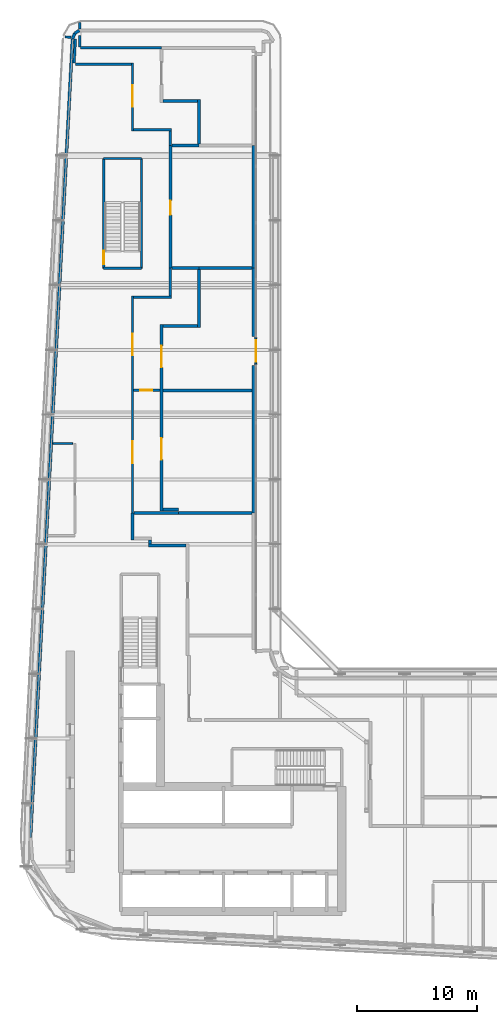
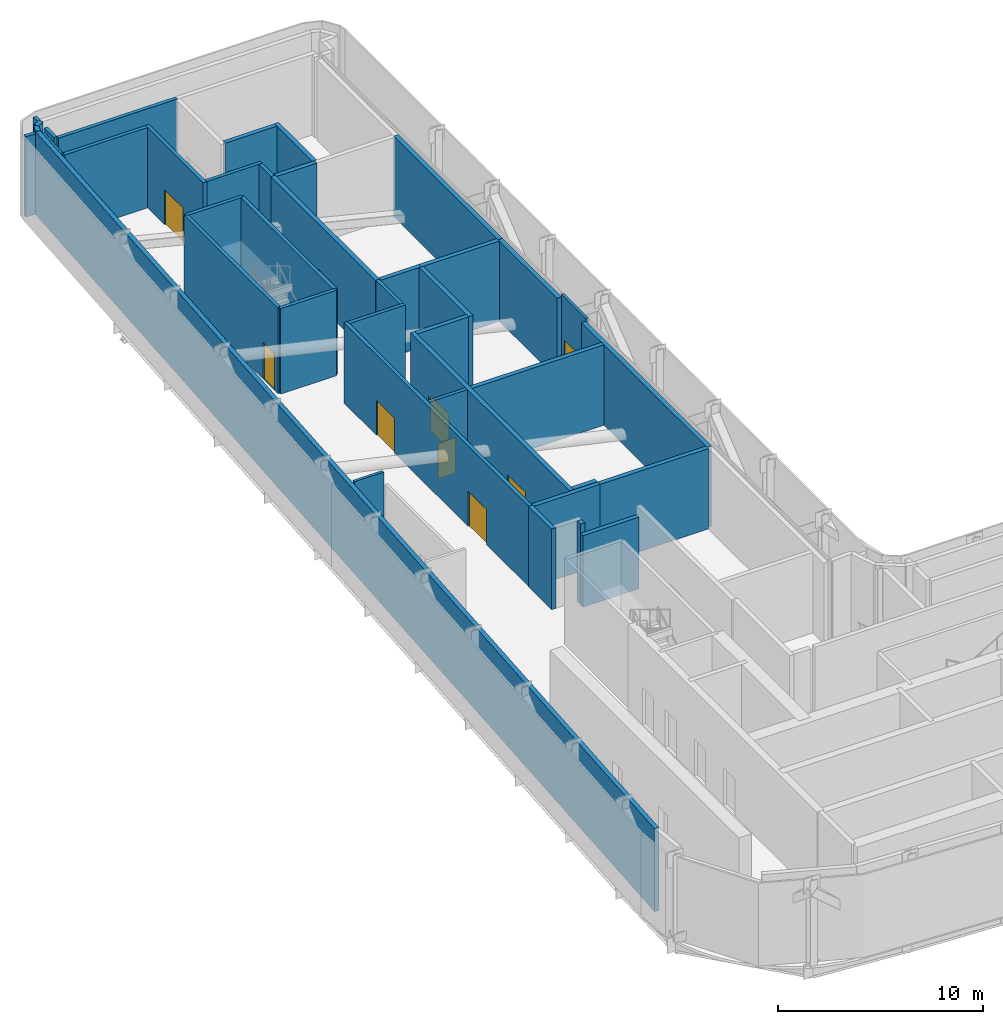
# One storey, part 15 of 23: 41 walls, 9 doors, 9 openings.
"""IFC4 building model written with IfcOpenShell, lengths in metres."""

from ifc_helpers import new_model, si_unit, direction, frame, frame_2d, origin, place, context, subcontext, project, spatial, rectangle, extrude, source, transform, mapped, material, layer, layer_set, type_object, element, fill, save


model = new_model("IFC4")

# Units and contexts
model_context = context("Model", 3, precision=1e-05, world=origin(), true_north=direction((0.0, 1.0)))
body_context = subcontext(model_context, "Body", "Model", "MODEL_VIEW")
ifc_project = project(units=[si_unit("LENGTHUNIT", "METRE"), si_unit("AREAUNIT", "SQUARE_METRE"), si_unit("VOLUMEUNIT", "CUBIC_METRE"), si_unit("PLANEANGLEUNIT", "RADIAN"), si_unit("MASSUNIT", "GRAM", prefix="KILO")], contexts=[model_context])

# Site, building, storey
site_placement = place(None, origin())
site = spatial("IfcSite", under=ifc_project, at=site_placement, CompositionType="ELEMENT")
building_placement = place(site_placement, origin())
building = spatial("IfcBuilding", under=site, at=building_placement, Name="Kheshtan School and Residences Tower", CompositionType="ELEMENT")
storey_placement = place(building_placement, frame((0.0, 0.0, 211.10009765625)))
storey = spatial("IfcBuildingStorey", under=building, at=storey_placement, Name="L49", CompositionType="ELEMENT", Elevation=211.10009765625)

# Walls
ifc_material_1 = material(Name="Gypsum board on steel studs with fire boards", Category="steel")
ifc_layer_1 = layer(ifc_material_1, 0.199951171875)
ifc_layer_set_1 = layer_set([ifc_layer_1], Name="Corridor wall 200")
wall_type_1 = type_object("IfcWallType", Name="Corridor wall 200", PredefinedType="PARTITIONING", material=ifc_layer_set_1)
wall_1_placement = place(storey_placement, frame((30.05908203125, 98.69091796875, 0.0), z_axis=(0.0, 0.0, 1.0), x_axis=(0.998617829333, -0.052558833123, 0.0)))
element("IfcWall", 1, at=wall_1_placement, inside=storey, type_object=wall_type_1, Name="Partition L49-001", PredefinedType="PARTITIONING", context=body_context, shape_type="SweptSolid", body=[
    extrude(rectangle(XDim=0.529541015625, YDim=0.199951171875, at=frame_2d((0.2646484375, 0.0))), origin(), (0.0, 0.0, 1.0), 4.7998046875),
])
wall_2_placement = place(storey_placement, frame((30.8359375, 96.5, 0.0), z_axis=(0.0, 0.0, 1.0), x_axis=(0.052830433288, 0.99860349755, 0.0)))
element("IfcWall", 2, at=wall_2_placement, inside=storey, type_object=wall_type_1, Name="Partition L49-002", PredefinedType="PARTITIONING", context=body_context, shape_type="SweptSolid", body=[
    extrude(rectangle(XDim=2.02880859375, YDim=0.199951171875, at=frame_2d((1.014404296875, 0.0))), origin(), (0.0, 0.0, 1.0), 4.7998046875),
])
wall_3_placement = place(storey_placement, frame((30.931884765625, 96.39990234375, 0.0), z_axis=(0.0, 0.0, 1.0), x_axis=(1.0, 0.0, 0.0)))
element("IfcWall", 3, at=wall_3_placement, inside=storey, type_object=wall_type_1, Name="Partition L49-003", PredefinedType="PARTITIONING", context=body_context, shape_type="SweptSolid", body=[
    extrude(rectangle(XDim=4.668212890625, YDim=0.199951171875, at=frame_2d((2.333984375, 0.0))), origin(), (0.0, 0.0, 1.0), 4.7998046875),
])
wall_4_placement = place(storey_placement, frame((31.302978515625, 97.85107421875, 0.0), z_axis=(0.0, 0.0, 1.0), x_axis=(0.0, 1.0, 0.0)))
element("IfcWall", 4, at=wall_4_placement, inside=storey, type_object=wall_type_1, Name="Partition L49-004", PredefinedType="PARTITIONING", context=body_context, shape_type="SweptSolid", body=[
    extrude(rectangle(XDim=0.948974609375, YDim=0.199951171875, at=frame_2d((0.474609375, 0.0))), origin(), (0.0, 0.0, 1.0), 4.7998046875),
])
wall_5_placement = place(storey_placement, frame((31.302978515625, 99.34912109375, 0.0), z_axis=(0.0, 0.0, 1.0), x_axis=(0.0, 1.0, 0.0)))
element("IfcWall", 5, at=wall_5_placement, inside=storey, type_object=wall_type_1, Name="Partition L49-005", PredefinedType="PARTITIONING", context=body_context, shape_type="SweptSolid", body=[
    extrude(rectangle(XDim=0.52197265625, YDim=0.199951171875, at=frame_2d((0.260986328125, 0.0))), origin(), (0.0, 0.0, 1.0), 4.7998046875),
])
wall_6_placement = place(storey_placement, frame((31.3740234375, 97.780029296875, 0.0), z_axis=(0.0, 0.0, 1.0), x_axis=(1.0, 0.0, 0.0)))
element("IfcWall", 6, at=wall_6_placement, inside=storey, type_object=wall_type_1, Name="Partition L49-006", PredefinedType="PARTITIONING", context=body_context, shape_type="SweptSolid", body=[
    extrude(rectangle(XDim=6.72607421875, YDim=0.199951171875, at=frame_2d((3.363037109375, 0.0))), origin(), (0.0, 0.0, 1.0), 4.7998046875),
])

# Wall, openings, doors
wall_7_placement = place(storey_placement, frame((35.699951171875, 59.02392578125, 0.0), z_axis=(0.0, 0.0, 1.0), x_axis=(0.0, 1.0, 0.0)))
wall_7 = element("IfcWall", 7, at=wall_7_placement, inside=storey, type_object=wall_type_1, Name="Partition L49-008", PredefinedType="PARTITIONING", context=body_context, shape_type="SweptSolid", body=[
    extrude(rectangle(XDim=18.076171875, YDim=0.199951171875, at=frame_2d((9.0380859375, 0.0))), origin(), (0.0, 0.0, 1.0), 4.7998046875),
])
opening_1_placement = place(wall_7_placement, frame((4.14990234375, 0.0, 0.0)))
opening_1 = element("IfcOpeningElement", 8, at=opening_1_placement, cuts=wall_7, Name="Opening D49-013", PredefinedType="OPENING", context=body_context, shape_type="SweptSolid", body=[
    extrude(rectangle(XDim=1.800048828125, YDim=2.10009765625, at=frame_2d((0.89990234375, 1.050048828125))), frame((0.0, 0.10986328125, 0.0), z_axis=(0.0, -1.0, 0.0), x_axis=(1.0, 0.0, 0.0)), (0.0, 0.0, 1.0), 0.219970703125),
])
opening_2_placement = place(wall_7_placement, frame((13.112060546875, 0.0, 0.0)))
opening_2 = element("IfcOpeningElement", 9, at=opening_2_placement, cuts=wall_7, Name="Opening D49-015", PredefinedType="OPENING", context=body_context, shape_type="SweptSolid", body=[
    extrude(rectangle(XDim=1.800048828125, YDim=2.10009765625, at=frame_2d((0.89990234375, 1.050048828125))), frame((0.0, 0.10986328125, 0.0), z_axis=(0.0, -1.0, 0.0), x_axis=(1.0, 0.0, 0.0)), (0.0, 0.0, 1.0), 0.219970703125),
])
ifc_material_2 = material(Name="Steel-framed fire-resisting door leaf", Category="steel")
door_type_1 = type_object("IfcDoorType", Name="Fire double door FD60 1800 x 2100", OperationType="DOUBLE_DOOR_SINGLE_SWING", PredefinedType="DOOR", material=ifc_material_2)
shared_shape_1 = source(origin(), body_context, "Body", "SweptSolid", [
    extrude(rectangle(XDim=1.800048828125, YDim=2.10009765625, at=frame_2d((0.89990234375, 1.050048828125))), frame((0.0, 0.02490234375, 0.0), z_axis=(0.0, -1.0, 0.0), x_axis=(1.0, 0.0, 0.0)), (0.0, 0.0, 1.0), 0.050048828125),
])
door_1_placement = place(opening_1_placement, origin())
door_1 = element("IfcDoor", 10, at=door_1_placement, inside=storey, type_object=door_type_1, Name="Door D49-013", OperationType="DOUBLE_DOOR_SINGLE_SWING", OverallHeight=2.10009765625, OverallWidth=1.800048828125, PredefinedType="DOOR", context=body_context, shape_type="MappedRepresentation", body=[
    mapped(shared_shape_1, transform((0.0, 0.0, 0.0), x_axis=(1.0, 0.0, 0.0), y_axis=(0.0, 1.0, 0.0), z_axis=(0.0, 0.0, 1.0), scale=1.0)),
])
fill(opening_1, door_1)
door_2_placement = place(opening_2_placement, origin())
door_2 = element("IfcDoor", 11, at=door_2_placement, inside=storey, type_object=door_type_1, Name="Door D49-015", OperationType="DOUBLE_DOOR_SINGLE_SWING", OverallHeight=2.10009765625, OverallWidth=1.800048828125, PredefinedType="DOOR", context=body_context, shape_type="MappedRepresentation", body=[
    mapped(shared_shape_1, transform((0.0, 0.0, 0.0), x_axis=(1.0, 0.0, 0.0), y_axis=(0.0, 1.0, 0.0), z_axis=(0.0, 0.0, 1.0), scale=1.0)),
])
fill(opening_2, door_2)

# Wall, opening, door
wall_8_placement = place(storey_placement, frame((35.699951171875, 90.860107421875, 0.0), z_axis=(0.0, 0.0, 1.0), x_axis=(0.0, 1.0, 0.0)))
wall_8 = element("IfcWall", 12, at=wall_8_placement, inside=storey, type_object=wall_type_1, Name="Partition L49-009", PredefinedType="PARTITIONING", context=body_context, shape_type="SweptSolid", body=[
    extrude(rectangle(XDim=5.639892578125, YDim=0.199951171875, at=frame_2d((2.81982421875, 0.0))), origin(), (0.0, 0.0, 1.0), 4.7998046875),
])
opening_3_placement = place(wall_8_placement, frame((2.0, 0.0, 0.0)))
opening_3 = element("IfcOpeningElement", 13, at=opening_3_placement, cuts=wall_8, Name="Opening D49-016", PredefinedType="OPENING", context=body_context, shape_type="SweptSolid", body=[
    extrude(rectangle(XDim=1.800048828125, YDim=2.10009765625, at=frame_2d((0.89990234375, 1.050048828125))), frame((0.0, 0.10986328125, 0.0), z_axis=(0.0, -1.0, 0.0), x_axis=(1.0, 0.0, 0.0)), (0.0, 0.0, 1.0), 0.219970703125),
])
door_3_placement = place(opening_3_placement, origin())
door_3 = element("IfcDoor", 14, at=door_3_placement, inside=storey, type_object=door_type_1, Name="Door D49-016", OperationType="DOUBLE_DOOR_SINGLE_SWING", OverallHeight=2.10009765625, OverallWidth=1.800048828125, PredefinedType="DOOR", context=body_context, shape_type="MappedRepresentation", body=[
    mapped(shared_shape_1, transform((0.0, 0.0, 0.0), x_axis=(1.0, 0.0, 0.0), y_axis=(0.0, 1.0, 0.0), z_axis=(0.0, 0.0, 1.0), scale=1.0)),
])
fill(opening_3, door_3)

wall_9_placement = place(storey_placement, frame((35.800048828125, 69.236083984375, 0.0), z_axis=(0.0, 0.0, 1.0), x_axis=(1.0, 0.0, 0.0)))
wall_9 = element("IfcWall", 15, at=wall_9_placement, inside=storey, type_object=wall_type_1, Name="Partition L49-010", PredefinedType="PARTITIONING", context=body_context, shape_type="SweptSolid", body=[
    extrude(rectangle(XDim=2.175048828125, YDim=0.199951171875, at=frame_2d((1.08740234375, 0.0))), origin(), (0.0, 0.0, 1.0), 4.7998046875),
])
opening_4_placement = place(wall_9_placement, frame((0.550048828125, 0.0, 0.0)))
opening_4 = element("IfcOpeningElement", 16, at=opening_4_placement, cuts=wall_9, Name="Opening D49-014", PredefinedType="OPENING", context=body_context, shape_type="SweptSolid", body=[
    extrude(rectangle(XDim=1.0, YDim=2.10009765625, at=frame_2d((0.5, 1.050048828125))), frame((0.0, 0.10986328125, 0.0), z_axis=(0.0, -1.0, 0.0), x_axis=(1.0, 0.0, 0.0)), (0.0, 0.0, 1.0), 0.219970703125),
])
door_type_2 = type_object("IfcDoorType", Name="Fire door FD60 1000 x 2100", OperationType="SINGLE_SWING_LEFT", PredefinedType="DOOR", material=ifc_material_2)
shared_shape_2 = source(origin(), body_context, "Body", "SweptSolid", [
    extrude(rectangle(XDim=1.0, YDim=2.10009765625, at=frame_2d((0.5, 1.050048828125))), frame((0.0, 0.02490234375, 0.0), z_axis=(0.0, -1.0, 0.0), x_axis=(1.0, 0.0, 0.0)), (0.0, 0.0, 1.0), 0.050048828125),
])
door_4_placement = place(opening_4_placement, origin())
door_4 = element("IfcDoor", 17, at=door_4_placement, inside=storey, type_object=door_type_2, Name="Door D49-014", OperationType="SINGLE_SWING_RIGHT", OverallHeight=2.10009765625, OverallWidth=1.0, PredefinedType="DOOR", context=body_context, shape_type="MappedRepresentation", body=[
    mapped(shared_shape_2, transform((0.0, 0.0, 0.0), x_axis=(1.0, 0.0, 0.0), y_axis=(0.0, 1.0, 0.0), z_axis=(0.0, 0.0, 1.0), scale=1.0)),
])
fill(opening_4, door_4)

# Walls
for number, where, z_axis, x_axis, name in (
    (18, (35.800048828125, 77.0, 0.0), (0.0, 0.0, 1.0), (1.0, 0.0, 0.0), "Partition L49-011"),
    (19, (35.800048828125, 90.9599609375, 0.0), (0.0, 0.0, 1.0), (1.0, 0.0, 0.0), "Partition L49-012"),
):
    element("IfcWall", number, at=place(storey_placement, frame(where, z_axis=z_axis, x_axis=x_axis)), inside=storey, type_object=wall_type_1, Name=name, PredefinedType="PARTITIONING", context=body_context, shape_type="SweptSolid", body=[
        extrude(rectangle(XDim=3.14990234375, YDim=0.199951171875, at=frame_2d((1.574951171875, 0.0))), origin(), (0.0, 0.0, 1.0), 4.7998046875),
    ])
wall_10_placement = place(storey_placement, frame((38.85009765625, 77.10009765625, 0.0), z_axis=(0.0, 0.0, 1.0), x_axis=(0.0, 1.0, 0.0)))
element("IfcWall", 20, at=wall_10_placement, inside=storey, type_object=wall_type_1, Name="Partition L49-024", PredefinedType="PARTITIONING", context=body_context, shape_type="SweptSolid", body=[
    extrude(rectangle(XDim=2.346923828125, YDim=0.199951171875, at=frame_2d((1.17333984375, 0.0))), origin(), (0.0, 0.0, 1.0), 4.7998046875),
])
wall_11_placement = place(storey_placement, frame((38.85009765625, 89.658935546875, 0.0), z_axis=(0.0, 0.0, 1.0), x_axis=(0.0, 1.0, 0.0)))
element("IfcWall", 21, at=wall_11_placement, inside=storey, type_object=wall_type_1, Name="Partition L49-026", PredefinedType="PARTITIONING", context=body_context, shape_type="SweptSolid", body=[
    extrude(rectangle(XDim=1.201171875, YDim=0.199951171875, at=frame_2d((0.6005859375, 0.0))), origin(), (0.0, 0.0, 1.0), 4.7998046875),
])
ifc_material_3 = material(Name="Concrete C40/50 with ceramic cladding and mineral wool insulation", Category="concrete")
ifc_layer_2 = layer(ifc_material_3, 0.25)
ifc_layer_set_2 = layer_set([ifc_layer_2], Name="External wall 250 ceramic clad")
wall_type_2 = type_object("IfcWallType", Name="External wall 250 ceramic clad", PredefinedType="SOLIDWALL", material=ifc_layer_set_2)
wall_12_placement = place(storey_placement, frame((27.195068359375, 31.968994140625, 0.0), z_axis=(0.0, 0.0, 1.0), x_axis=(0.052556141556, 0.99861797099, 0.0)))
element("IfcWall", 22, at=wall_12_placement, inside=storey, type_object=wall_type_2, Name="External wall L49 10", PredefinedType="SOLIDWALL", context=body_context, shape_type="SweptSolid", body=[
    extrude(rectangle(XDim=66.651123046875, YDim=0.25, at=frame_2d((33.32568359375, 0.0))), origin(), (0.0, 0.0, 1.0), 4.949951171875),
])
wall_13_placement = place(storey_placement, frame((30.697998046875, 98.528076171875, 0.0), z_axis=(0.0, 0.0, 1.0), x_axis=(0.370881773365, 0.928680090336, 0.0)))
element("IfcWall", 23, at=wall_13_placement, inside=storey, type_object=wall_type_2, Name="External wall L49 11", PredefinedType="SOLIDWALL", context=body_context, shape_type="SweptSolid", body=[
    extrude(rectangle(XDim=0.496337890625, YDim=0.25, at=frame_2d((0.248046875, 0.0))), origin(), (0.0, 0.0, 1.0), 4.949951171875),
])
wall_14_placement = place(storey_placement, frame((30.882080078125, 98.989013671875, 0.0), z_axis=(0.0, 0.0, 1.0), x_axis=(0.851899959866, 0.523704552568, 0.0)))
element("IfcWall", 24, at=wall_14_placement, inside=storey, type_object=wall_type_2, Name="External wall L49 12", PredefinedType="SOLIDWALL", context=body_context, shape_type="SweptSolid", body=[
    extrude(rectangle(XDim=0.45068359375, YDim=0.25, at=frame_2d((0.225341796875, 0.0))), origin(), (0.0, 0.0, 1.0), 4.949951171875),
])

# Wall, opening, door
ifc_material_4 = material(Name="Aluminium frame wall with insulated infill", Category="aluminium")
ifc_layer_3 = layer(ifc_material_4, 0.14990234375)
ifc_layer_set_3 = layer_set([ifc_layer_3], Name="Glazing frame wall 150")
wall_type_3 = type_object("IfcWallType", Name="Glazing frame wall 150", PredefinedType="SOLIDWALL", material=ifc_layer_set_3)
wall_15_placement = place(storey_placement, frame((45.97509765625, 73.699951171875, 0.0), z_axis=(0.0, 0.0, 1.0), x_axis=(0.0, -1.0, 0.0)))
wall_15 = element("IfcWall", 25, at=wall_15_placement, inside=storey, type_object=wall_type_3, Name="Terrace door wall L49 19", PredefinedType="SOLIDWALL", context=body_context, shape_type="SweptSolid", body=[
    extrude(rectangle(XDim=2.39990234375, YDim=0.14990234375, at=frame_2d((1.199951171875, 0.0))), origin(), (0.0, 0.0, 1.0), 4.949951171875),
])
opening_5_placement = place(wall_15_placement, frame((0.300048828125, 0.0, 0.0)))
opening_5 = element("IfcOpeningElement", 26, at=opening_5_placement, cuts=wall_15, Name="Opening BD", PredefinedType="OPENING", context=body_context, shape_type="SweptSolid", body=[
    extrude(rectangle(XDim=1.800048828125, YDim=2.39990234375, at=frame_2d((0.89990234375, 1.199951171875))), frame((0.0, 0.0849609375, 0.0), z_axis=(0.0, -1.0, 0.0), x_axis=(1.0, 0.0, 0.0)), (0.0, 0.0, 1.0), 0.169921875),
])
ifc_material_5 = material(Name="Clear low-e glass in thermally broken aluminium frame", Category="aluminium")
door_type_3 = type_object("IfcDoorType", Name="Balcony sliding door", OperationType="SLIDING_TO_LEFT", PredefinedType="DOOR", material=ifc_material_5)
shared_shape_3 = source(origin(), body_context, "Body", "SweptSolid", [
    extrude(rectangle(XDim=1.800048828125, YDim=2.39990234375, at=frame_2d((0.89990234375, 1.199951171875))), frame((0.0, 0.02490234375, 0.0), z_axis=(0.0, -1.0, 0.0), x_axis=(1.0, 0.0, 0.0)), (0.0, 0.0, 1.0), 0.050048828125),
])
door_5_placement = place(opening_5_placement, origin())
door_5 = element("IfcDoor", 27, at=door_5_placement, inside=storey, type_object=door_type_3, Name="Terrace door L49 19", OperationType="SLIDING_TO_LEFT", OverallHeight=2.39990234375, OverallWidth=1.800048828125, PredefinedType="DOOR", context=body_context, shape_type="MappedRepresentation", body=[
    mapped(shared_shape_3, transform((0.0, 0.0, 0.0), x_axis=(1.0, 0.0, 0.0), y_axis=(0.0, 1.0, 0.0), z_axis=(0.0, 0.0, 1.0), scale=1.0)),
])
fill(opening_5, door_5)

# Walls
ifc_material_6 = material(Name="Fire-board and steel stud wall with mineral wool", Category="steel")
ifc_layer_4 = layer(ifc_material_6, 0.25)
ifc_layer_set_4 = layer_set([ifc_layer_4], Name="Plant room wall 250")
wall_type_4 = type_object("IfcWallType", Name="Plant room wall 250", PredefinedType="PARTITIONING", material=ifc_layer_set_4)
wall_16_placement = place(storey_placement, frame((35.699951171875, 56.77490234375, 0.0), z_axis=(0.0, 0.0, 1.0), x_axis=(0.0, 1.0, 0.0)))
element("IfcWall", 28, at=wall_16_placement, inside=storey, type_object=wall_type_4, Name="Partition L49-007", PredefinedType="PARTITIONING", context=body_context, shape_type="SweptSolid", body=[
    extrude(rectangle(XDim=2.2490234375, YDim=0.25, at=frame_2d((1.12451171875, 0.0))), origin(), (0.0, 0.0, 1.0), 4.7998046875),
])
wall_17_placement = place(storey_placement, frame((35.824951171875, 59.02392578125, 0.0), z_axis=(0.0, 0.0, 1.0), x_axis=(1.0, 0.0, 0.0)))
element("IfcWall", 29, at=wall_17_placement, inside=storey, type_object=wall_type_4, Name="Partition L49-014", PredefinedType="PARTITIONING", context=body_context, shape_type="SweptSolid", body=[
    extrude(rectangle(XDim=3.72509765625, YDim=0.25, at=frame_2d((1.862548828125, 0.0))), origin(), (0.0, 0.0, 1.0), 4.7998046875),
])
wall_18_placement = place(storey_placement, frame((37.02490234375, 56.31005859375, 0.0), z_axis=(0.0, 0.0, 1.0), x_axis=(1.0, 0.0, 0.0)))
element("IfcWall", 30, at=wall_18_placement, inside=storey, type_object=wall_type_4, Name="Partition L49-015", PredefinedType="PARTITIONING", context=body_context, shape_type="SweptSolid", body=[
    extrude(rectangle(XDim=3.150146484375, YDim=0.25, at=frame_2d((1.5751953125, 0.0))), origin(), (0.0, 0.0, 1.0), 4.27197265625),
])
wall_19_placement = place(storey_placement, frame((37.14990234375, 56.43505859375, 0.0), z_axis=(0.0, 0.0, 1.0), x_axis=(0.0, 1.0, 0.0)))
element("IfcWall", 31, at=wall_19_placement, inside=storey, type_object=wall_type_4, Name="Partition L49-016", PredefinedType="PARTITIONING", context=body_context, shape_type="SweptSolid", body=[
    extrude(rectangle(XDim=0.33984375, YDim=0.25, at=frame_2d((0.169921875, 0.0))), origin(), (0.0, 0.0, 1.0), 4.7998046875),
])

# Wall, opening, door
wall_20_placement = place(storey_placement, frame((38.85009765625, 79.447021484375, 0.0), z_axis=(0.0, 0.0, 1.0), x_axis=(0.0, 1.0, 0.0)))
wall_20 = element("IfcWall", 32, at=wall_20_placement, inside=storey, type_object=wall_type_4, Name="Partition L49-025", PredefinedType="PARTITIONING", context=body_context, shape_type="SweptSolid", body=[
    extrude(rectangle(XDim=10.2119140625, YDim=0.25, at=frame_2d((5.10595703125, 0.0))), origin(), (0.0, 0.0, 1.0), 4.7998046875),
])
opening_6_placement = place(wall_20_placement, frame((4.39990234375, 0.0, 0.0)))
opening_6 = element("IfcOpeningElement", 33, at=opening_6_placement, cuts=wall_20, Name="Opening D49-009", PredefinedType="OPENING", context=body_context, shape_type="SweptSolid", body=[
    extrude(rectangle(XDim=1.199951171875, YDim=2.10009765625, at=frame_2d((0.60009765625, 1.050048828125))), frame((0.0, 0.135009765625, 0.0), z_axis=(0.0, -1.0, 0.0), x_axis=(1.0, 0.0, 0.0)), (0.0, 0.0, 1.0), 0.27001953125),
])
door_type_4 = type_object("IfcDoorType", Name="Fire door FD120 1200 x 2100", OperationType="SINGLE_SWING_LEFT", PredefinedType="DOOR", material=ifc_material_2)
shared_shape_4 = source(origin(), body_context, "Body", "SweptSolid", [
    extrude(rectangle(XDim=1.199951171875, YDim=2.10009765625, at=frame_2d((0.60009765625, 1.050048828125))), frame((0.0, 0.02490234375, 0.0), z_axis=(0.0, -1.0, 0.0), x_axis=(1.0, 0.0, 0.0)), (0.0, 0.0, 1.0), 0.050048828125),
])
door_6_placement = place(opening_6_placement, origin())
door_6 = element("IfcDoor", 34, at=door_6_placement, inside=storey, type_object=door_type_4, Name="Door D49-009", OperationType="SINGLE_SWING_LEFT", OverallHeight=2.10009765625, OverallWidth=1.199951171875, PredefinedType="DOOR", context=body_context, shape_type="MappedRepresentation", body=[
    mapped(shared_shape_4, transform((0.0, 0.0, 0.0), x_axis=(1.0, 0.0, 0.0), y_axis=(0.0, 1.0, 0.0), z_axis=(0.0, 0.0, 1.0), scale=1.0)),
])
fill(opening_6, door_6)

# Walls
for number, where, z_axis, x_axis, name in (
    (35, (38.97509765625, 79.447021484375, 0.0), (0.0, 0.0, 1.0), (1.0, 0.0, 0.0), "Partition L49-027"),
    (36, (38.97509765625, 89.658935546875, 0.0), (0.0, 0.0, 1.0), (1.0, 0.0, 0.0), "Partition L49-028"),
):
    element("IfcWall", number, at=place(storey_placement, frame(where, z_axis=z_axis, x_axis=x_axis)), inside=storey, type_object=wall_type_4, Name=name, PredefinedType="PARTITIONING", context=body_context, shape_type="SweptSolid", body=[
        extrude(rectangle(XDim=2.27490234375, YDim=0.25, at=frame_2d((1.137451171875, 0.0))), origin(), (0.0, 0.0, 1.0), 4.7998046875),
    ])
wall_21_placement = place(storey_placement, frame((45.780029296875, 79.447021484375, 0.0), z_axis=(0.0, 0.0, 1.0), x_axis=(0.0, 1.0, 0.0)))
element("IfcWall", 37, at=wall_21_placement, inside=storey, type_object=wall_type_4, Name="Partition L49-042", PredefinedType="PARTITIONING", context=body_context, shape_type="SweptSolid", body=[
    extrude(rectangle(XDim=10.2119140625, YDim=0.25, at=frame_2d((5.10595703125, 0.0))), origin(), (0.0, 0.0, 1.0), 4.7998046875),
])

# Wall, openings, doors
ifc_layer_5 = layer(ifc_material_6, 0.25)
ifc_layer_set_5 = layer_set([ifc_layer_5], Name="Refuge compartment wall 250")
wall_type_5 = type_object("IfcWallType", Name="Refuge compartment wall 250", PredefinedType="PARTITIONING", material=ifc_layer_set_5)
wall_22_placement = place(storey_placement, frame((38.10009765625, 59.175048828125, 0.0), z_axis=(0.0, 0.0, 1.0), x_axis=(0.0, 1.0, 0.0)))
wall_22 = element("IfcWall", 38, at=wall_22_placement, inside=storey, type_object=wall_type_5, Name="Partition L49-017", PredefinedType="PARTITIONING", context=body_context, shape_type="SweptSolid", body=[
    extrude(rectangle(XDim=15.550048828125, YDim=0.25, at=frame_2d((7.77490234375, 0.0))), origin(), (0.0, 0.0, 1.0), 4.7998046875),
])
opening_7_placement = place(wall_22_placement, frame((4.27490234375, 0.0, 0.0)))
opening_7 = element("IfcOpeningElement", 39, at=opening_7_placement, cuts=wall_22, Name="Opening D49-006", PredefinedType="OPENING", context=body_context, shape_type="SweptSolid", body=[
    extrude(rectangle(XDim=1.800048828125, YDim=2.10009765625, at=frame_2d((0.89990234375, 1.050048828125))), frame((0.0, 0.135009765625, 0.0), z_axis=(0.0, -1.0, 0.0), x_axis=(1.0, 0.0, 0.0)), (0.0, 0.0, 1.0), 0.27001953125),
])
opening_8_placement = place(wall_22_placement, frame((11.9609375, 0.0, 0.0)))
opening_8 = element("IfcOpeningElement", 40, at=opening_8_placement, cuts=wall_22, Name="Opening D49-007", PredefinedType="OPENING", context=body_context, shape_type="SweptSolid", body=[
    extrude(rectangle(XDim=1.800048828125, YDim=2.10009765625, at=frame_2d((0.89990234375, 1.050048828125))), frame((0.0, 0.135009765625, 0.0), z_axis=(0.0, -1.0, 0.0), x_axis=(1.0, 0.0, 0.0)), (0.0, 0.0, 1.0), 0.27001953125),
])
door_type_5 = type_object("IfcDoorType", Name="Fire double door FD120 1800 x 2100", OperationType="DOUBLE_DOOR_SINGLE_SWING", PredefinedType="DOOR", material=ifc_material_2)
shared_shape_5 = source(origin(), body_context, "Body", "SweptSolid", [
    extrude(rectangle(XDim=1.800048828125, YDim=2.10009765625, at=frame_2d((0.89990234375, 1.050048828125))), frame((0.0, 0.02490234375, 0.0), z_axis=(0.0, -1.0, 0.0), x_axis=(1.0, 0.0, 0.0)), (0.0, 0.0, 1.0), 0.050048828125),
])
door_7_placement = place(opening_7_placement, origin())
door_7 = element("IfcDoor", 41, at=door_7_placement, inside=storey, type_object=door_type_5, Name="Door D49-006", OperationType="DOUBLE_DOOR_SINGLE_SWING", OverallHeight=2.10009765625, OverallWidth=1.800048828125, PredefinedType="DOOR", context=body_context, shape_type="MappedRepresentation", body=[
    mapped(shared_shape_5, transform((0.0, 0.0, 0.0), x_axis=(1.0, 0.0, 0.0), y_axis=(0.0, 1.0, 0.0), z_axis=(0.0, 0.0, 1.0), scale=1.0)),
])
fill(opening_7, door_7)
door_8_placement = place(opening_8_placement, origin())
door_8 = element("IfcDoor", 42, at=door_8_placement, inside=storey, type_object=door_type_5, Name="Door D49-007", OperationType="DOUBLE_DOOR_SINGLE_SWING", OverallHeight=2.10009765625, OverallWidth=1.800048828125, PredefinedType="DOOR", context=body_context, shape_type="MappedRepresentation", body=[
    mapped(shared_shape_5, transform((0.0, 0.0, 0.0), x_axis=(1.0, 0.0, 0.0), y_axis=(0.0, 1.0, 0.0), z_axis=(0.0, 0.0, 1.0), scale=1.0)),
])
fill(opening_8, door_8)

# Walls
wall_23_placement = place(storey_placement, frame((38.22509765625, 59.300048828125, 0.0), z_axis=(0.0, 0.0, 1.0), x_axis=(1.0, 0.0, 0.0)))
element("IfcWall", 43, at=wall_23_placement, inside=storey, type_object=wall_type_5, Name="Partition L49-020", PredefinedType="PARTITIONING", context=body_context, shape_type="SweptSolid", body=[
    extrude(rectangle(XDim=1.324951171875, YDim=0.25, at=frame_2d((0.66259765625, 0.0))), origin(), (0.0, 0.0, 1.0), 4.7998046875),
])
wall_24_placement = place(storey_placement, frame((38.22509765625, 69.236083984375, 0.0), z_axis=(0.0, 0.0, 1.0), x_axis=(1.0, 0.0, 0.0)))
element("IfcWall", 44, at=wall_24_placement, inside=storey, type_object=wall_type_5, Name="Partition L49-021", PredefinedType="PARTITIONING", context=body_context, shape_type="SweptSolid", body=[
    extrude(rectangle(XDim=7.429931640625, YDim=0.25, at=frame_2d((3.71484375, 0.0))), origin(), (0.0, 0.0, 1.0), 4.7998046875),
])
for number, where, z_axis, x_axis, name in (
    (45, (38.22509765625, 74.60009765625, 0.0), (0.0, 0.0, 1.0), (1.0, 0.0, 0.0), "Partition L49-022"),
    (46, (38.22509765625, 93.360107421875, 0.0), (0.0, 0.0, 1.0), (1.0, 0.0, 0.0), "Partition L49-023"),
):
    element("IfcWall", number, at=place(storey_placement, frame(where, z_axis=z_axis, x_axis=x_axis)), inside=storey, type_object=wall_type_5, Name=name, PredefinedType="PARTITIONING", context=body_context, shape_type="SweptSolid", body=[
        extrude(rectangle(XDim=2.89990234375, YDim=0.25, at=frame_2d((1.449951171875, 0.0))), origin(), (0.0, 0.0, 1.0), 4.7998046875),
    ])
wall_25_placement = place(storey_placement, frame((39.550048828125, 59.02392578125, 0.0), z_axis=(0.0, 0.0, 1.0), x_axis=(1.0, 0.0, 0.0)))
element("IfcWall", 47, at=wall_25_placement, inside=storey, type_object=wall_type_5, Name="Partition L49-029", PredefinedType="PARTITIONING", context=body_context, shape_type="SweptSolid", body=[
    extrude(rectangle(XDim=6.10498046875, YDim=0.25, at=frame_2d((3.052490234375, 0.0))), origin(), (0.0, 0.0, 1.0), 4.7998046875),
])
wall_26_placement = place(storey_placement, frame((41.25, 74.47509765625, 0.0), z_axis=(0.0, 0.0, 1.0), x_axis=(0.0, 1.0, 0.0)))
element("IfcWall", 48, at=wall_26_placement, inside=storey, type_object=wall_type_5, Name="Partition L49-034", PredefinedType="PARTITIONING", context=body_context, shape_type="SweptSolid", body=[
    extrude(rectangle(XDim=4.846923828125, YDim=0.25, at=frame_2d((2.42333984375, 0.0))), origin(), (0.0, 0.0, 1.0), 4.7998046875),
])
wall_27_placement = place(storey_placement, frame((41.25, 79.447021484375, 0.0), z_axis=(0.0, 0.0, 1.0), x_axis=(1.0, 0.0, 0.0)))
element("IfcWall", 49, at=wall_27_placement, inside=storey, type_object=wall_type_5, Name="Partition L49-035", PredefinedType="PARTITIONING", context=body_context, shape_type="SweptSolid", body=[
    extrude(rectangle(XDim=4.405029296875, YDim=0.25, at=frame_2d((2.20263671875, 0.0))), origin(), (0.0, 0.0, 1.0), 4.7998046875),
])
wall_28_placement = place(storey_placement, frame((41.25, 89.783935546875, 0.0), z_axis=(0.0, 0.0, 1.0), x_axis=(0.0, 1.0, 0.0)))
element("IfcWall", 50, at=wall_28_placement, inside=storey, type_object=wall_type_5, Name="Partition L49-037", PredefinedType="PARTITIONING", context=body_context, shape_type="SweptSolid", body=[
    extrude(rectangle(XDim=3.701171875, YDim=0.25, at=frame_2d((1.8505859375, 0.0))), origin(), (0.0, 0.0, 1.0), 4.7998046875),
])
wall_29_placement = place(storey_placement, frame((45.780029296875, 59.02392578125, 0.0), z_axis=(0.0, 0.0, 1.0), x_axis=(0.0, 1.0, 0.0)))
element("IfcWall", 51, at=wall_29_placement, inside=storey, type_object=wall_type_5, Name="Partition L49-040", PredefinedType="PARTITIONING", context=body_context, shape_type="SweptSolid", body=[
    extrude(rectangle(XDim=12.277099609375, YDim=0.25, at=frame_2d((6.138671875, 0.0))), origin(), (0.0, 0.0, 1.0), 4.7998046875),
])
wall_30_placement = place(storey_placement, frame((45.780029296875, 73.698974609375, 0.0), z_axis=(0.0, 0.0, 1.0), x_axis=(0.0, 1.0, 0.0)))
element("IfcWall", 52, at=wall_30_placement, inside=storey, type_object=wall_type_5, Name="Partition L49-041", PredefinedType="PARTITIONING", context=body_context, shape_type="SweptSolid", body=[
    extrude(rectangle(XDim=5.748046875, YDim=0.25, at=frame_2d((2.8740234375, 0.0))), origin(), (0.0, 0.0, 1.0), 4.7998046875),
])
ifc_material_7 = material(Name="Fire-board shaft wall system")
ifc_layer_6 = layer(ifc_material_7, 0.14990234375)
ifc_layer_set_6 = layer_set([ifc_layer_6], Name="Service room wall 150")
wall_type_6 = type_object("IfcWallType", Name="Service room wall 150", PredefinedType="PARTITIONING", material=ifc_layer_set_6)
wall_31_placement = place(storey_placement, frame((29.050048828125, 64.800048828125, 0.0), z_axis=(0.0, 0.0, 1.0), x_axis=(1.0, 0.0, 0.0)))
element("IfcWall", 53, at=wall_31_placement, inside=storey, type_object=wall_type_6, Name="Service room wall", PredefinedType="PARTITIONING", context=body_context, shape_type="SweptSolid", body=[
    extrude(rectangle(XDim=1.655029296875, YDim=0.14990234375, at=frame_2d((0.82763671875, 0.0))), origin(), (0.0, 0.0, 1.0), 5.099853515625),
])
ifc_material_8 = material(Name="Concrete C40/50", Category="concrete")
ifc_layer_7 = layer(ifc_material_8, 0.199951171875)
ifc_layer_set_7 = layer_set([ifc_layer_7], Name="Stair enclosure wall 200 Concrete C40/50")
wall_type_7 = type_object("IfcWallType", Name="Stair enclosure wall 200 Concrete C40/50", PredefinedType="SHEAR", material=ifc_layer_set_7)
for number, where, z_axis, x_axis, name in (
    (54, (33.300048828125, 79.39990234375, 0.0), (0.0, 0.0, 1.0), (1.0, 0.0, 0.0), "Stair enclosure wall ST3"),
    (55, (33.300048828125, 88.56005859375, 0.0), (0.0, 0.0, 1.0), (1.0, 0.0, 0.0), "Stair enclosure wall ST3"),
):
    element("IfcWall", number, at=place(storey_placement, frame(where, z_axis=z_axis, x_axis=x_axis)), inside=storey, type_object=wall_type_7, Name=name, PredefinedType="SHEAR", context=body_context, shape_type="SweptSolid", body=[
        extrude(rectangle(XDim=3.14990234375, YDim=0.199951171875, at=frame_2d((1.574951171875, 0.0))), origin(), (0.0, 0.0, 1.0), 5.099853515625),
    ])

# Wall, opening, door
wall_32_placement = place(storey_placement, frame((33.300048828125, 79.39990234375, 0.0), z_axis=(0.0, 0.0, 1.0), x_axis=(0.0, 1.0, 0.0)))
wall_32 = element("IfcWall", 56, at=wall_32_placement, inside=storey, type_object=wall_type_7, Name="Stair enclosure wall ST3", PredefinedType="SHEAR", context=body_context, shape_type="SweptSolid", body=[
    extrude(rectangle(XDim=9.16015625, YDim=0.199951171875, at=frame_2d((4.580078125, 0.0))), origin(), (0.0, 0.0, 1.0), 5.099853515625),
])
opening_9_placement = place(wall_32_placement, frame((0.35009765625, 0.0, 0.0)))
opening_9 = element("IfcOpeningElement", 57, at=opening_9_placement, cuts=wall_32, Name="Opening ST3D", PredefinedType="OPENING", context=body_context, shape_type="SweptSolid", body=[
    extrude(rectangle(XDim=1.10009765625, YDim=2.199951171875, at=frame_2d((0.550048828125, 1.10009765625))), frame((0.0, 0.10986328125, 0.0), z_axis=(0.0, -1.0, 0.0), x_axis=(1.0, 0.0, 0.0)), (0.0, 0.0, 1.0), 0.219970703125),
])
ifc_material_9 = material(Name="Steel door leaf, galvanised", Category="steel")
door_type_6 = type_object("IfcDoorType", Name="Stair door 1100 steel 90 min", OperationType="SINGLE_SWING_LEFT", PredefinedType="DOOR", material=ifc_material_9)
shared_shape_6 = source(origin(), body_context, "Body", "SweptSolid", [
    extrude(rectangle(XDim=1.10009765625, YDim=2.199951171875, at=frame_2d((0.550048828125, 1.10009765625))), frame((0.0, 0.02490234375, 0.0), z_axis=(0.0, -1.0, 0.0), x_axis=(1.0, 0.0, 0.0)), (0.0, 0.0, 1.0), 0.050048828125),
])
door_9_placement = place(opening_9_placement, origin())
door_9 = element("IfcDoor", 58, at=door_9_placement, inside=storey, type_object=door_type_6, Name="Stair ST3 door", OperationType="SINGLE_SWING_RIGHT", OverallHeight=2.199951171875, OverallWidth=1.10009765625, PredefinedType="DOOR", context=body_context, shape_type="MappedRepresentation", body=[
    mapped(shared_shape_6, transform((0.0, 0.0, 0.0), x_axis=(1.0, 0.0, 0.0), y_axis=(0.0, 1.0, 0.0), z_axis=(0.0, 0.0, 1.0), scale=1.0)),
])
fill(opening_9, door_9)

# Wall
wall_33_placement = place(storey_placement, frame((36.449951171875, 79.39990234375, 0.0), z_axis=(0.0, 0.0, 1.0), x_axis=(0.0, 1.0, 0.0)))
element("IfcWall", 59, at=wall_33_placement, inside=storey, type_object=wall_type_7, Name="Stair enclosure wall ST3", PredefinedType="SHEAR", context=body_context, shape_type="SweptSolid", body=[
    extrude(rectangle(XDim=9.16015625, YDim=0.199951171875, at=frame_2d((4.580078125, 0.0))), origin(), (0.0, 0.0, 1.0), 5.099853515625),
])

save(model, "model.ifc")
